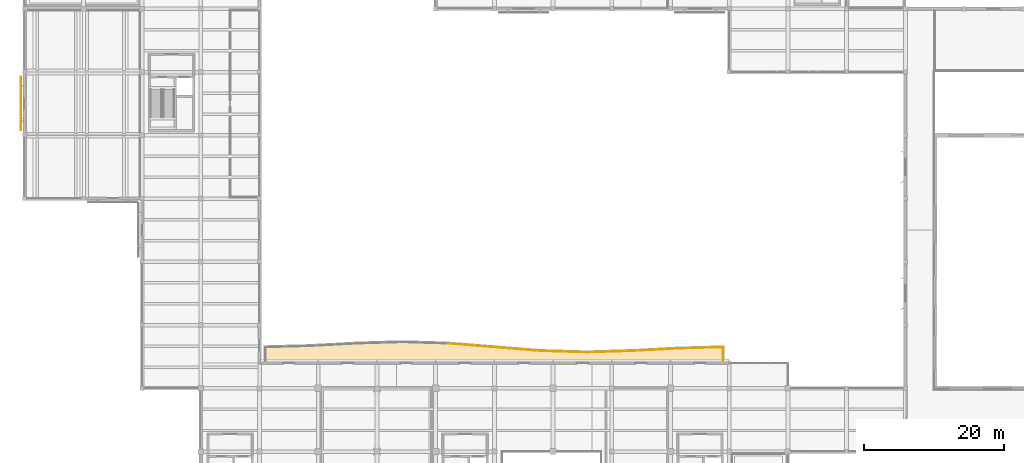
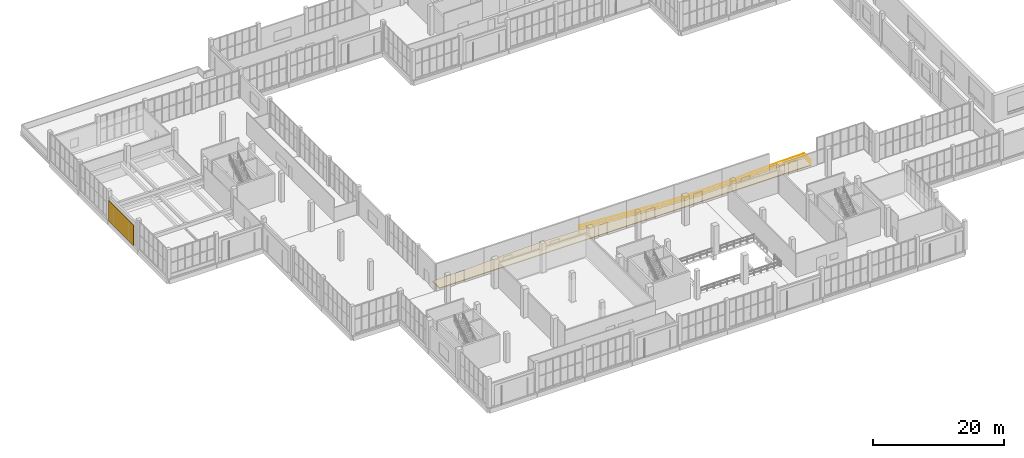
# One storey, part 127 of 132: 7 railings, 1 covering, 1 shading device.
"""IFC4 building model written with IfcOpenShell, lengths in metres."""

from ifc_helpers import new_model, si_unit, direction, frame, origin, origin_2d, place, context, subcontext, project, spatial, polyline, rectangle, circle, outline, extrude, material, layer, layer_set, type_object, element, save


model = new_model("IFC4")

# Units and contexts
model_context = context("Model", 3, precision=1e-05, world=origin(), true_north=direction((0.0, 1.0)))
body_context = subcontext(model_context, "Body", "Model", "MODEL_VIEW")
ifc_project = project(units=[si_unit("LENGTHUNIT", "METRE"), si_unit("AREAUNIT", "SQUARE_METRE"), si_unit("VOLUMEUNIT", "CUBIC_METRE"), si_unit("PLANEANGLEUNIT", "RADIAN"), si_unit("MASSUNIT", "GRAM", prefix="KILO")], contexts=[model_context])

# Site, building, storey
site_placement = place(None, origin())
site = spatial("IfcSite", under=ifc_project, at=site_placement, CompositionType="ELEMENT")
building_placement = place(site_placement, origin())
building = spatial("IfcBuilding", under=site, at=building_placement, Name="Khurvash Pelagic Aquarium", CompositionType="ELEMENT")
storey_placement = place(building_placement, frame((0.0, 0.0, 5.39990234375)))
storey = spatial("IfcBuildingStorey", under=building, at=storey_placement, Name="L01", CompositionType="ELEMENT", Elevation=5.39990234375)

# Railings
ifc_material_1 = material(Name="Laminated glass and stainless steel 316", Category="steel")
railing_type = type_object("IfcRailingType", Name="BL-01", PredefinedType="BALUSTRADE", material=ifc_material_1)
railing_1_placement = place(storey_placement, frame((60.5849609375, 36.15087890625, 0.0)))
element("IfcRailing", 1, at=railing_1_placement, inside=storey, type_object=railing_type, Name="L01 Planted Terrace Perimeter Balustrade BL-01 0009", PredefinedType="BALUSTRADE", context=body_context, shape_type="SweptSolid", body=[
    extrude(circle(Radius=0.02392578125, at=origin_2d()), frame((0.0, 0.0, 1.076171875), z_axis=(0.996787048821, -0.080097311459, 0.0), x_axis=(0.080097311459, 0.996787048821, 0.0)), (0.0, 0.0, 1.0), 6.6142578125),
    extrude(circle(Radius=0.02392578125, at=origin_2d()), frame((0.0, 0.0, 0.5380859375), z_axis=(0.996787048821, -0.080097311459, 0.0), x_axis=(0.080097311459, 0.996787048821, 0.0)), (0.0, 0.0, 1.0), 6.6142578125),
    extrude(circle(Radius=0.02099609375, at=origin_2d()), origin(), (0.0, 0.0, 1.0), 1.052001953125),
    extrude(circle(Radius=0.02099609375, at=origin_2d()), frame((1.098876953125, -0.08837890625, 0.0)), (0.0, 0.0, 1.0), 1.052001953125),
    extrude(circle(Radius=0.02099609375, at=origin_2d()), frame((2.19775390625, -0.176513671875, 0.0)), (0.0, 0.0, 1.0), 1.052001953125),
    extrude(circle(Radius=0.02099609375, at=origin_2d()), frame((3.29638671875, -0.264892578125, 0.0)), (0.0, 0.0, 1.0), 1.052001953125),
    extrude(circle(Radius=0.02099609375, at=origin_2d()), frame((4.395263671875, -0.353271484375, 0.0)), (0.0, 0.0, 1.0), 1.052001953125),
    extrude(circle(Radius=0.02099609375, at=origin_2d()), frame((5.494140625, -0.44140625, 0.0)), (0.0, 0.0, 1.0), 1.052001953125),
    extrude(circle(Radius=0.02099609375, at=origin_2d()), frame((6.593017578125, -0.52978515625, 0.0)), (0.0, 0.0, 1.0), 1.052001953125),
])
railing_2_placement = place(storey_placement, frame((67.177978515625, 35.62109375, 0.0)))
element("IfcRailing", 2, at=railing_2_placement, inside=storey, type_object=railing_type, Name="L01 Planted Terrace Perimeter Balustrade BL-01 0010", PredefinedType="BALUSTRADE", context=body_context, shape_type="SweptSolid", body=[
    extrude(circle(Radius=0.02392578125, at=origin_2d()), frame((0.0, 0.0, 1.076171875), z_axis=(0.996779184975, -0.080195114571, 0.0), x_axis=(0.080195114571, 0.996779184975, 0.0)), (0.0, 0.0, 1.0), 6.621337890625),
    extrude(circle(Radius=0.02392578125, at=origin_2d()), frame((0.0, 0.0, 0.5380859375), z_axis=(0.996779184975, -0.080195114571, 0.0), x_axis=(0.080195114571, 0.996779184975, 0.0)), (0.0, 0.0, 1.0), 6.621337890625),
    extrude(circle(Radius=0.02099609375, at=origin_2d()), origin(), (0.0, 0.0, 1.0), 1.052001953125),
    extrude(circle(Radius=0.02099609375, at=origin_2d()), frame((1.10009765625, -0.08837890625, 0.0)), (0.0, 0.0, 1.0), 1.052001953125),
    extrude(circle(Radius=0.02099609375, at=origin_2d()), frame((2.199951171875, -0.177001953125, 0.0)), (0.0, 0.0, 1.0), 1.052001953125),
    extrude(circle(Radius=0.02099609375, at=origin_2d()), frame((3.300048828125, -0.265625, 0.0)), (0.0, 0.0, 1.0), 1.052001953125),
    extrude(circle(Radius=0.02099609375, at=origin_2d()), frame((4.400146484375, -0.35400390625, 0.0)), (0.0, 0.0, 1.0), 1.052001953125),
    extrude(circle(Radius=0.02099609375, at=origin_2d()), frame((5.5, -0.4423828125, 0.0)), (0.0, 0.0, 1.0), 1.052001953125),
    extrude(circle(Radius=0.02099609375, at=origin_2d()), frame((6.60009765625, -0.531005859375, 0.0)), (0.0, 0.0, 1.0), 1.052001953125),
])
railing_3_placement = place(storey_placement, frame((73.7919921875, 35.089111328125, 0.0)))
element("IfcRailing", 3, at=railing_3_placement, inside=storey, type_object=railing_type, Name="L01 Planted Terrace Perimeter Balustrade BL-01 0011", PredefinedType="BALUSTRADE", context=body_context, shape_type="SweptSolid", body=[
    extrude(circle(Radius=0.02392578125, at=origin_2d()), frame((0.0, 0.0, 1.076171875), z_axis=(0.999540296786, -0.030318230501, 0.0), x_axis=(0.030318230501, 0.999540296786, 0.0)), (0.0, 0.0, 1.0), 6.60302734375),
    extrude(circle(Radius=0.02392578125, at=origin_2d()), frame((0.0, 0.0, 0.5380859375), z_axis=(0.999540296786, -0.030318230501, 0.0), x_axis=(0.030318230501, 0.999540296786, 0.0)), (0.0, 0.0, 1.0), 6.60302734375),
    extrude(circle(Radius=0.02099609375, at=origin_2d()), origin(), (0.0, 0.0, 1.0), 1.052001953125),
    extrude(circle(Radius=0.02099609375, at=origin_2d()), frame((1.10009765625, -0.033447265625, 0.0)), (0.0, 0.0, 1.0), 1.052001953125),
    extrude(circle(Radius=0.02099609375, at=origin_2d()), frame((2.199951171875, -0.066650390625, 0.0)), (0.0, 0.0, 1.0), 1.052001953125),
    extrude(circle(Radius=0.02099609375, at=origin_2d()), frame((3.300048828125, -0.10009765625, 0.0)), (0.0, 0.0, 1.0), 1.052001953125),
    extrude(circle(Radius=0.02099609375, at=origin_2d()), frame((4.400146484375, -0.133544921875, 0.0)), (0.0, 0.0, 1.0), 1.052001953125),
    extrude(circle(Radius=0.02099609375, at=origin_2d()), frame((5.5, -0.166748046875, 0.0)), (0.0, 0.0, 1.0), 1.052001953125),
    extrude(circle(Radius=0.02099609375, at=origin_2d()), frame((6.60009765625, -0.2001953125, 0.0)), (0.0, 0.0, 1.0), 1.052001953125),
])
railing_4_placement = place(storey_placement, frame((80.407958984375, 34.888916015625, 0.0)))
element("IfcRailing", 4, at=railing_4_placement, inside=storey, type_object=railing_type, Name="L01 Planted Terrace Perimeter Balustrade BL-01 0012", PredefinedType="BALUSTRADE", context=body_context, shape_type="SweptSolid", body=[
    extrude(circle(Radius=0.02392578125, at=origin_2d()), frame((0.0, 0.0, 1.076171875), z_axis=(0.999540296786, 0.030318230501, 0.0), x_axis=(-0.030318230501, 0.999540296786, 0.0)), (0.0, 0.0, 1.0), 6.60302734375),
    extrude(circle(Radius=0.02392578125, at=origin_2d()), frame((0.0, 0.0, 0.5380859375), z_axis=(0.999540296786, 0.030318230501, 0.0), x_axis=(-0.030318230501, 0.999540296786, 0.0)), (0.0, 0.0, 1.0), 6.60302734375),
    extrude(circle(Radius=0.02099609375, at=origin_2d()), origin(), (0.0, 0.0, 1.0), 1.052001953125),
    extrude(circle(Radius=0.02099609375, at=origin_2d()), frame((1.10009765625, 0.033447265625, 0.0)), (0.0, 0.0, 1.0), 1.052001953125),
    extrude(circle(Radius=0.02099609375, at=origin_2d()), frame((2.199951171875, 0.066650390625, 0.0)), (0.0, 0.0, 1.0), 1.052001953125),
    extrude(circle(Radius=0.02099609375, at=origin_2d()), frame((3.300048828125, 0.10009765625, 0.0)), (0.0, 0.0, 1.0), 1.052001953125),
    extrude(circle(Radius=0.02099609375, at=origin_2d()), frame((4.400146484375, 0.133544921875, 0.0)), (0.0, 0.0, 1.0), 1.052001953125),
    extrude(circle(Radius=0.02099609375, at=origin_2d()), frame((5.5, 0.166748046875, 0.0)), (0.0, 0.0, 1.0), 1.052001953125),
    extrude(circle(Radius=0.02099609375, at=origin_2d()), frame((6.60009765625, 0.2001953125, 0.0)), (0.0, 0.0, 1.0), 1.052001953125),
])
railing_5_placement = place(storey_placement, frame((87.014892578125, 35.089111328125, 0.0)))
element("IfcRailing", 5, at=railing_5_placement, inside=storey, type_object=railing_type, Name="L01 Planted Terrace Perimeter Balustrade BL-01 0013", PredefinedType="BALUSTRADE", context=body_context, shape_type="SweptSolid", body=[
    extrude(circle(Radius=0.02392578125, at=origin_2d()), frame((0.0, 0.0, 1.076171875), z_axis=(0.998531162109, 0.054180423557, 0.0), x_axis=(-0.054180423557, 0.998531162109, 0.0)), (0.0, 0.0, 1.0), 6.60595703125),
    extrude(circle(Radius=0.02392578125, at=origin_2d()), frame((0.0, 0.0, 0.5380859375), z_axis=(0.998531162109, 0.054180423557, 0.0), x_axis=(-0.054180423557, 0.998531162109, 0.0)), (0.0, 0.0, 1.0), 6.60595703125),
    extrude(circle(Radius=0.02099609375, at=origin_2d()), origin(), (0.0, 0.0, 1.0), 1.052001953125),
    extrude(circle(Radius=0.02099609375, at=origin_2d()), frame((1.099365234375, 0.0595703125, 0.0)), (0.0, 0.0, 1.0), 1.052001953125),
    extrude(circle(Radius=0.02099609375, at=origin_2d()), frame((2.19873046875, 0.119384765625, 0.0)), (0.0, 0.0, 1.0), 1.052001953125),
    extrude(circle(Radius=0.02099609375, at=origin_2d()), frame((3.298095703125, 0.178955078125, 0.0)), (0.0, 0.0, 1.0), 1.052001953125),
    extrude(circle(Radius=0.02099609375, at=origin_2d()), frame((4.3974609375, 0.238525390625, 0.0)), (0.0, 0.0, 1.0), 1.052001953125),
    extrude(circle(Radius=0.02099609375, at=origin_2d()), frame((5.496826171875, 0.29833984375, 0.0)), (0.0, 0.0, 1.0), 1.052001953125),
    extrude(circle(Radius=0.02099609375, at=origin_2d()), frame((6.59619140625, 0.35791015625, 0.0)), (0.0, 0.0, 1.0), 1.052001953125),
])
railing_6_placement = place(storey_placement, frame((93.611083984375, 35.447021484375, 0.0)))
element("IfcRailing", 6, at=railing_6_placement, inside=storey, type_object=railing_type, Name="L01 Planted Terrace Perimeter Balustrade BL-01 0014", PredefinedType="BALUSTRADE", context=body_context, shape_type="SweptSolid", body=[
    extrude(circle(Radius=0.02392578125, at=origin_2d()), frame((0.0, 0.0, 1.076171875), z_axis=(0.999653946124, 0.026305664772, 0.0), x_axis=(-0.026305664772, 0.999653946124, 0.0)), (0.0, 0.0, 1.0), 6.31103515625),
    extrude(circle(Radius=0.02392578125, at=origin_2d()), frame((0.0, 0.0, 0.5380859375), z_axis=(0.999653946124, 0.026305664772, 0.0), x_axis=(-0.026305664772, 0.999653946124, 0.0)), (0.0, 0.0, 1.0), 6.31103515625),
    extrude(circle(Radius=0.02099609375, at=origin_2d()), origin(), (0.0, 0.0, 1.0), 1.052001953125),
    extrude(circle(Radius=0.02099609375, at=origin_2d()), frame((1.051513671875, 0.027587890625, 0.0)), (0.0, 0.0, 1.0), 1.052001953125),
    extrude(circle(Radius=0.02099609375, at=origin_2d()), frame((2.10302734375, 0.055419921875, 0.0)), (0.0, 0.0, 1.0), 1.052001953125),
    extrude(circle(Radius=0.02099609375, at=origin_2d()), frame((3.154296875, 0.0830078125, 0.0)), (0.0, 0.0, 1.0), 1.052001953125),
    extrude(circle(Radius=0.02099609375, at=origin_2d()), frame((4.205810546875, 0.110595703125, 0.0)), (0.0, 0.0, 1.0), 1.052001953125),
    extrude(circle(Radius=0.02099609375, at=origin_2d()), frame((5.25732421875, 0.138427734375, 0.0)), (0.0, 0.0, 1.0), 1.052001953125),
    extrude(circle(Radius=0.02099609375, at=origin_2d()), frame((6.308837890625, 0.166015625, 0.0)), (0.0, 0.0, 1.0), 1.052001953125),
])
railing_7_placement = place(storey_placement, frame((99.919921875, 35.613037109375, 0.0)))
element("IfcRailing", 7, at=railing_7_placement, inside=storey, type_object=railing_type, Name="L01 Planted Terrace Perimeter Balustrade BL-01 0015", PredefinedType="BALUSTRADE", context=body_context, shape_type="SweptSolid", body=[
    extrude(circle(Radius=0.02392578125, at=origin_2d()), frame((0.0, 0.0, 1.076171875), z_axis=(0.0, -1.0, 0.0), x_axis=(1.0, 0.0, 0.0)), (0.0, 0.0, 1.0), 1.983154296875),
    extrude(circle(Radius=0.02392578125, at=origin_2d()), frame((0.0, 0.0, 0.5380859375), z_axis=(0.0, -1.0, 0.0), x_axis=(1.0, 0.0, 0.0)), (0.0, 0.0, 1.0), 1.983154296875),
    extrude(circle(Radius=0.02099609375, at=origin_2d()), origin(), (0.0, 0.0, 1.0), 1.052001953125),
    extrude(circle(Radius=0.02099609375, at=origin_2d()), frame((0.0, -0.99169921875, 0.0)), (0.0, 0.0, 1.0), 1.052001953125),
    extrude(circle(Radius=0.02099609375, at=origin_2d()), frame((0.0, -1.983154296875, 0.0)), (0.0, 0.0, 1.0), 1.052001953125),
])

# Covering
ifc_material_2 = material(Name="Vegetated monsoon-retention substrate and drainage mat", Category="earth")
ifc_layer_1 = layer(ifc_material_2, 0.14990234375)
ifc_layer_set_1 = layer_set([ifc_layer_1], Name="Vegetated monsoon-retention substrate and drainage mat")
covering_type = type_object("IfcCoveringType", Name="CV-RF02", PredefinedType="ROOFING", material=ifc_layer_set_1)
covering_placement = place(storey_placement, origin())
element("IfcCovering", 8, at=covering_placement, inside=storey, type_object=covering_type, Name="L01 Monsoon Retention Terrace Substrate TERR_L01_S", PredefinedType="ROOFING", context=body_context, shape_type="SweptSolid", body=[
    extrude(outline(polyline([(34.39990234375, 33.550048828125), (34.39990234375, 35.705078125), (40.804931640625, 35.873046875), (40.81103515625, 35.873046875), (47.407958984375, 36.23095703125), (54.0, 36.430908203125), (60.589111328125, 36.23095703125), (67.18408203125, 35.700927734375), (73.783935546875, 35.169921875), (73.7939453125, 35.1689453125), (80.39404296875, 34.968994140625), (80.406005859375, 34.968994140625), (87.006103515625, 35.1689453125), (87.010986328125, 35.1689453125), (93.60791015625, 35.527099609375), (100.0, 35.695068359375), (100.0, 33.550048828125), (34.39990234375, 33.550048828125)])), origin(), (0.0, 0.0, 1.0), 0.150146484375),
])

# Shading device
ifc_material_3 = material(Name="Extruded anodised aluminium fin", Category="aluminium")
ifc_layer_2 = layer(ifc_material_3, 0.074951171875)
ifc_layer_set_2 = layer_set([ifc_layer_2], Name="Extruded anodised aluminium fin")
shading_device_type = type_object("IfcShadingDeviceType", Name="SH-FIN", PredefinedType="USERDEFINED", material=ifc_layer_set_2)
shading_device_placement = place(storey_placement, frame((-0.52001953125, 70.47509765625, 0.199951171875), z_axis=(0.0, 0.0, 1.0), x_axis=(0.0, -1.0, 0.0)))
element("IfcShadingDevice", 9, at=shading_device_placement, inside=storey, type_object=shading_device_type, Name="L01 Perforated Aluminium Jali Screen SH-FIN 0006", ObjectType="SOLAR FIN", PredefinedType="USERDEFINED", context=body_context, shape_type="SweptSolid", body=[
    extrude(rectangle(XDim=7.639892578125, YDim=0.074951171875, at=origin_2d()), origin(), (0.0, 0.0, 1.0), 3.85009765625),
])

save(model, "model.ifc")
